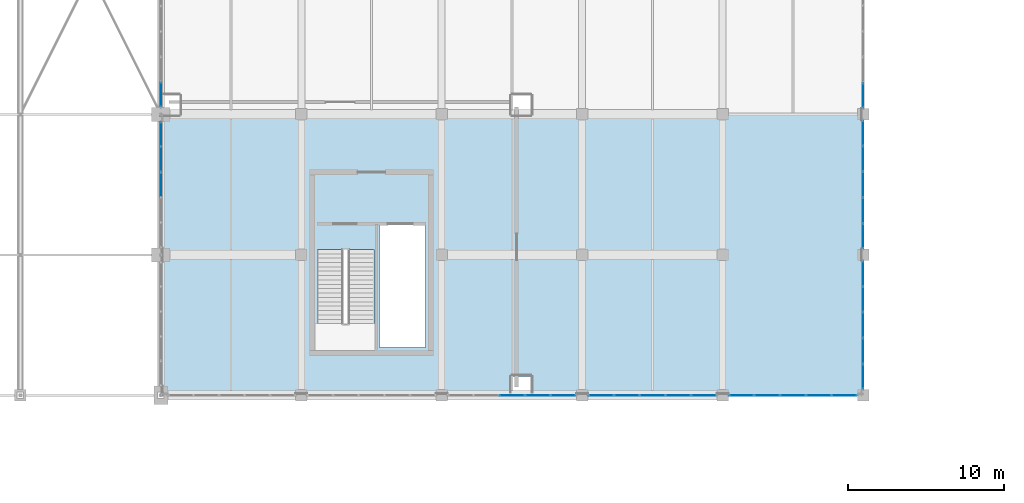
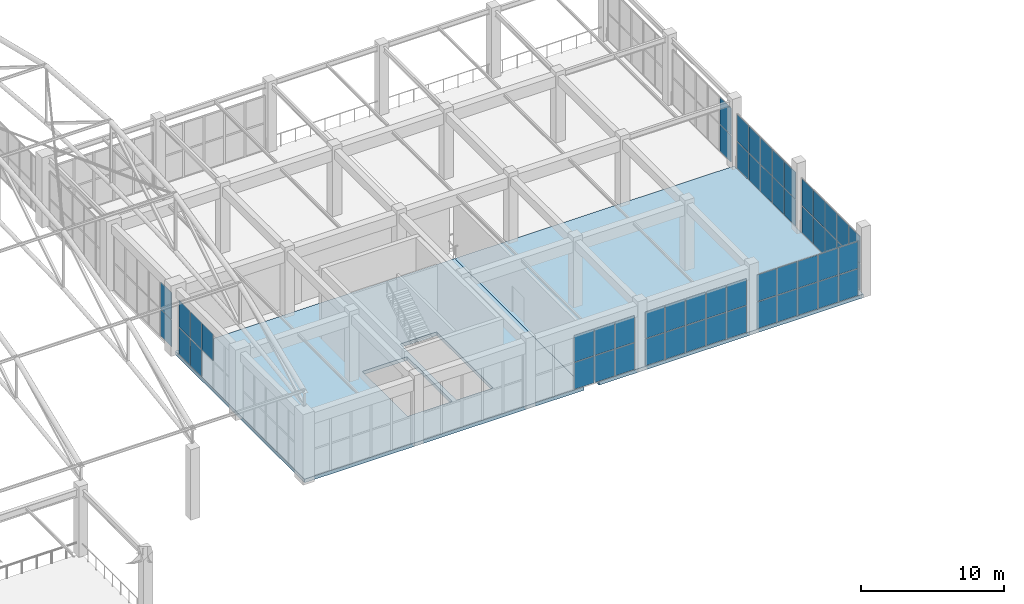
# One storey, part 177 of 223: 55 plates, 2 slabs, 8 elements without a shape of their own.
"""IFC4 building model written with IfcOpenShell, lengths in metres."""

from ifc_helpers import new_model, si_unit, direction, frame, origin, origin_2d, place, context, subcontext, project, spatial, polyline, rectangle, outline, extrude, material, layer, layer_set, type_object, element, aggregate, save


model = new_model("IFC4")

# Units and contexts
model_context = context("Model", 3, precision=1e-05, world=origin(), true_north=direction((0.0, 1.0)))
body_context = subcontext(model_context, "Body", "Model", "MODEL_VIEW")
ifc_project = project(units=[si_unit("LENGTHUNIT", "METRE"), si_unit("AREAUNIT", "SQUARE_METRE"), si_unit("VOLUMEUNIT", "CUBIC_METRE"), si_unit("PLANEANGLEUNIT", "RADIAN"), si_unit("MASSUNIT", "GRAM", prefix="KILO")], contexts=[model_context])

# Site, building, storey
site_placement = place(None, origin())
site = spatial("IfcSite", under=ifc_project, at=site_placement, CompositionType="ELEMENT")
building_placement = place(site_placement, origin())
building = spatial("IfcBuilding", under=site, at=building_placement, Name="Dornveld Trade and Exhibition Forum", CompositionType="ELEMENT")
storey_placement = place(building_placement, frame((0.0, 0.0, 6.0)))
storey = spatial("IfcBuildingStorey", under=building, at=storey_placement, Name="L01", CompositionType="ELEMENT", Elevation=6.0)

# Curtain wall, plates
ifc_material_1 = material(Name="Dark-bronze anodised aluminium and low-E glass", Category="aluminium")
ifc_layer_1 = layer(ifc_material_1, 0.1689453125)
ifc_layer_set_1 = layer_set([ifc_layer_1], Name="Dark-bronze anodised aluminium and low-E glass")
curtain_wall_type_1 = type_object("IfcCurtainWallType", Name="CW-SYS-09", PredefinedType="USERDEFINED", material=ifc_layer_set_1)
curtain_wall_1_placement = place(storey_placement, origin())
curtain_wall_1 = element("IfcCurtainWall", 1, at=curtain_wall_1_placement, inside=storey, type_object=curtain_wall_type_1, Name="L01 unitised curtain wall 9", ObjectType="UNITISED_CURTAIN_WALL", PredefinedType="USERDEFINED")
ifc_material_2 = material(Name="Double-glazed low-E solar control glass", Category="glass")
ifc_layer_2 = layer(ifc_material_2, 0.02587890625)
ifc_layer_set_2 = layer_set([ifc_layer_2], Name="Double-glazed low-E solar control glass")
plate_type_1 = type_object("IfcPlateType", Name="CW-PNL-01", PredefinedType="CURTAIN_PANEL", material=ifc_layer_set_2)
plate_1_placement = place(storey_placement, frame((171.0, 121.5, 2.3779296875), z_axis=(0.0, 0.0, 1.0), x_axis=(0.0, 1.0, 0.0)))
plate_1 = element("IfcPlate", 2, at=plate_1_placement, type_object=plate_type_1, Name="CW-09 panel 3.2", PredefinedType="CURTAIN_PANEL", context=body_context, shape_type="SweptSolid", body=[
    extrude(rectangle(XDim=1.5615234375, YDim=0.02587890625, at=origin_2d()), origin(), (0.0, 0.0, 1.0), 2.261962890625),
])
plate_2_placement = place(storey_placement, frame((171.0, 123.12158203125, 0.05615234375), z_axis=(0.0, 0.0, 1.0), x_axis=(0.0, 1.0, 0.0)))
plate_2 = element("IfcPlate", 3, at=plate_2_placement, type_object=plate_type_1, Name="CW-09 panel 4.1", PredefinedType="CURTAIN_PANEL", context=body_context, shape_type="SweptSolid", body=[
    extrude(rectangle(XDim=1.5615234375, YDim=0.02587890625, at=origin_2d()), origin(), (0.0, 0.0, 1.0), 2.261962890625),
])
plate_3_placement = place(storey_placement, frame((171.0, 123.12158203125, 2.3779296875), z_axis=(0.0, 0.0, 1.0), x_axis=(0.0, 1.0, 0.0)))
plate_3 = element("IfcPlate", 4, at=plate_3_placement, type_object=plate_type_1, Name="CW-09 panel 4.2", PredefinedType="CURTAIN_PANEL", context=body_context, shape_type="SweptSolid", body=[
    extrude(rectangle(XDim=1.5615234375, YDim=0.02587890625, at=origin_2d()), origin(), (0.0, 0.0, 1.0), 2.261962890625),
])
plate_4_placement = place(storey_placement, frame((171.0, 124.728271484375, 0.05615234375), z_axis=(0.0, 0.0, 1.0), x_axis=(0.0, 1.0, 0.0)))
plate_4 = element("IfcPlate", 5, at=plate_4_placement, type_object=plate_type_1, Name="CW-09 panel 5.1", PredefinedType="CURTAIN_PANEL", context=body_context, shape_type="SweptSolid", body=[
    extrude(rectangle(XDim=1.531494140625, YDim=0.02587890625, at=origin_2d()), origin(), (0.0, 0.0, 1.0), 2.261962890625),
])
plate_5_placement = place(storey_placement, frame((171.0, 124.728271484375, 2.3779296875), z_axis=(0.0, 0.0, 1.0), x_axis=(0.0, 1.0, 0.0)))
plate_5 = element("IfcPlate", 6, at=plate_5_placement, type_object=plate_type_1, Name="CW-09 panel 5.2", PredefinedType="CURTAIN_PANEL", context=body_context, shape_type="SweptSolid", body=[
    extrude(rectangle(XDim=1.531494140625, YDim=0.02587890625, at=origin_2d()), origin(), (0.0, 0.0, 1.0), 2.261962890625),
])
aggregate(curtain_wall_1, [plate_1, plate_2, plate_3, plate_4, plate_5])

ifc_material_3 = material(Name="Dark-bronze anodised aluminium and low-E glass", Category="aluminium")
ifc_layer_3 = layer(ifc_material_3, 0.18994140625)
ifc_layer_set_3 = layer_set([ifc_layer_3], Name="Dark-bronze anodised aluminium and low-E glass")
curtain_wall_type_2 = type_object("IfcCurtainWallType", Name="CW-SYS-16", PredefinedType="USERDEFINED", material=ifc_layer_set_3)
curtain_wall_2_placement = place(storey_placement, origin())
curtain_wall_2 = element("IfcCurtainWall", 7, at=curtain_wall_2_placement, inside=storey, type_object=curtain_wall_type_2, Name="L01 unitised curtain wall 106", ObjectType="UNITISED_CURTAIN_WALL", PredefinedType="USERDEFINED")
ifc_material_4 = material(Name="Double-glazed low-E solar control glass", Category="glass")
ifc_layer_4 = layer(ifc_material_4, 0.028076171875)
ifc_layer_set_4 = layer_set([ifc_layer_4], Name="Double-glazed low-E solar control glass")
plate_type_2 = type_object("IfcPlateType", Name="CW-PNL-02", PredefinedType="CURTAIN_PANEL", material=ifc_layer_set_4)
plate_6_placement = place(storey_placement, frame((193.5, 108.0, 0.05615234375), z_axis=(0.0, 0.0, 1.0), x_axis=(1.0, 0.0, 0.0)))
plate_6 = element("IfcPlate", 8, at=plate_6_placement, type_object=plate_type_2, Name="CW-16 panel 3.1", PredefinedType="CURTAIN_PANEL", context=body_context, shape_type="SweptSolid", body=[
    extrude(rectangle(XDim=1.591552734375, YDim=0.028076171875, at=origin_2d()), origin(), (0.0, 0.0, 1.0), 2.261962890625),
])
plate_7_placement = place(storey_placement, frame((193.5, 108.0, 2.3779296875), z_axis=(0.0, 0.0, 1.0), x_axis=(1.0, 0.0, 0.0)))
plate_7 = element("IfcPlate", 9, at=plate_7_placement, type_object=plate_type_2, Name="CW-16 panel 3.2", PredefinedType="CURTAIN_PANEL", context=body_context, shape_type="SweptSolid", body=[
    extrude(rectangle(XDim=1.591552734375, YDim=0.028076171875, at=origin_2d()), origin(), (0.0, 0.0, 1.0), 2.261962890625),
])
plate_8_placement = place(storey_placement, frame((195.151611328125, 108.0, 0.05615234375), z_axis=(0.0, 0.0, 1.0), x_axis=(1.0, 0.0, 0.0)))
plate_8 = element("IfcPlate", 10, at=plate_8_placement, type_object=plate_type_2, Name="CW-16 panel 4.1", PredefinedType="CURTAIN_PANEL", context=body_context, shape_type="SweptSolid", body=[
    extrude(rectangle(XDim=1.591552734375, YDim=0.028076171875, at=origin_2d()), origin(), (0.0, 0.0, 1.0), 2.261962890625),
])
plate_9_placement = place(storey_placement, frame((195.151611328125, 108.0, 2.3779296875), z_axis=(0.0, 0.0, 1.0), x_axis=(1.0, 0.0, 0.0)))
plate_9 = element("IfcPlate", 11, at=plate_9_placement, type_object=plate_type_2, Name="CW-16 panel 4.2", PredefinedType="CURTAIN_PANEL", context=body_context, shape_type="SweptSolid", body=[
    extrude(rectangle(XDim=1.591552734375, YDim=0.028076171875, at=origin_2d()), origin(), (0.0, 0.0, 1.0), 2.261962890625),
])
plate_10_placement = place(storey_placement, frame((196.7880859375, 108.0, 0.05615234375), z_axis=(0.0, 0.0, 1.0), x_axis=(1.0, 0.0, 0.0)))
plate_10 = element("IfcPlate", 12, at=plate_10_placement, type_object=plate_type_2, Name="CW-16 panel 5.1", PredefinedType="CURTAIN_PANEL", context=body_context, shape_type="SweptSolid", body=[
    extrude(rectangle(XDim=1.5615234375, YDim=0.028076171875, at=origin_2d()), origin(), (0.0, 0.0, 1.0), 2.261962890625),
])
plate_11_placement = place(storey_placement, frame((196.7880859375, 108.0, 2.3779296875), z_axis=(0.0, 0.0, 1.0), x_axis=(1.0, 0.0, 0.0)))
plate_11 = element("IfcPlate", 13, at=plate_11_placement, type_object=plate_type_2, Name="CW-16 panel 5.2", PredefinedType="CURTAIN_PANEL", context=body_context, shape_type="SweptSolid", body=[
    extrude(rectangle(XDim=1.5615234375, YDim=0.028076171875, at=origin_2d()), origin(), (0.0, 0.0, 1.0), 2.261962890625),
])
aggregate(curtain_wall_2, [plate_6, plate_7, plate_8, plate_9, plate_10, plate_11])

ifc_material_5 = material(Name="Dark-bronze anodised aluminium and low-E glass", Category="aluminium")
ifc_layer_5 = layer(ifc_material_5, 0.175048828125)
ifc_layer_set_5 = layer_set([ifc_layer_5], Name="Dark-bronze anodised aluminium and low-E glass")
curtain_wall_type_3 = type_object("IfcCurtainWallType", Name="CW-SYS-11", PredefinedType="USERDEFINED", material=ifc_layer_set_5)
curtain_wall_3_placement = place(storey_placement, origin())
curtain_wall_3 = element("IfcCurtainWall", 14, at=curtain_wall_3_placement, inside=storey, type_object=curtain_wall_type_3, Name="L01 unitised curtain wall 11", ObjectType="UNITISED_CURTAIN_WALL", PredefinedType="USERDEFINED")
ifc_material_6 = material(Name="Double-glazed low-E solar control glass", Category="glass")
ifc_layer_6 = layer(ifc_material_6, 0.030029296875)
ifc_layer_set_6 = layer_set([ifc_layer_6], Name="Double-glazed low-E solar control glass")
plate_type_3 = type_object("IfcPlateType", Name="CW-PNL-03", PredefinedType="CURTAIN_PANEL", material=ifc_layer_set_6)
plate_12_placement = place(storey_placement, frame((171.0, 127.271728515625, 0.05615234375), z_axis=(0.0, 0.0, 1.0), x_axis=(0.0, 1.0, 0.0)))
plate_12 = element("IfcPlate", 15, at=plate_12_placement, type_object=plate_type_3, Name="CW-11 panel 1.1", PredefinedType="CURTAIN_PANEL", context=body_context, shape_type="SweptSolid", body=[
    extrude(rectangle(XDim=1.531494140625, YDim=0.030029296875, at=origin_2d()), origin(), (0.0, 0.0, 1.0), 2.261962890625),
])
plate_13_placement = place(storey_placement, frame((171.0, 127.271728515625, 2.3779296875), z_axis=(0.0, 0.0, 1.0), x_axis=(0.0, 1.0, 0.0)))
plate_13 = element("IfcPlate", 16, at=plate_13_placement, type_object=plate_type_3, Name="CW-11 panel 1.2", PredefinedType="CURTAIN_PANEL", context=body_context, shape_type="SweptSolid", body=[
    extrude(rectangle(XDim=1.531494140625, YDim=0.030029296875, at=origin_2d()), origin(), (0.0, 0.0, 1.0), 2.261962890625),
])
aggregate(curtain_wall_3, [plate_12, plate_13])

ifc_material_7 = material(Name="Dark-bronze anodised aluminium and low-E glass", Category="aluminium")
ifc_layer_7 = layer(ifc_material_7, 0.193115234375)
ifc_layer_set_7 = layer_set([ifc_layer_7], Name="Dark-bronze anodised aluminium and low-E glass")
curtain_wall_type_4 = type_object("IfcCurtainWallType", Name="CW-SYS-17", PredefinedType="USERDEFINED", material=ifc_layer_set_7)
curtain_wall_4_placement = place(storey_placement, origin())
curtain_wall_4 = element("IfcCurtainWall", 17, at=curtain_wall_4_placement, inside=storey, type_object=curtain_wall_type_4, Name="L01 unitised curtain wall 107", ObjectType="UNITISED_CURTAIN_WALL", PredefinedType="USERDEFINED")
plate_14_placement = place(storey_placement, frame((199.2119140625, 108.0, 0.05615234375), z_axis=(0.0, 0.0, 1.0), x_axis=(1.0, 0.0, 0.0)))
plate_14 = element("IfcPlate", 18, at=plate_14_placement, type_object=plate_type_3, Name="CW-17 panel 1.1", PredefinedType="CURTAIN_PANEL", context=body_context, shape_type="SweptSolid", body=[
    extrude(rectangle(XDim=1.5615234375, YDim=0.030029296875, at=origin_2d()), origin(), (0.0, 0.0, 1.0), 2.261962890625),
])
plate_15_placement = place(storey_placement, frame((199.2119140625, 108.0, 2.3779296875), z_axis=(0.0, 0.0, 1.0), x_axis=(1.0, 0.0, 0.0)))
plate_15 = element("IfcPlate", 19, at=plate_15_placement, type_object=plate_type_3, Name="CW-17 panel 1.2", PredefinedType="CURTAIN_PANEL", context=body_context, shape_type="SweptSolid", body=[
    extrude(rectangle(XDim=1.5615234375, YDim=0.030029296875, at=origin_2d()), origin(), (0.0, 0.0, 1.0), 2.261962890625),
])
plate_16_placement = place(storey_placement, frame((200.848388671875, 108.0, 0.05615234375), z_axis=(0.0, 0.0, 1.0), x_axis=(1.0, 0.0, 0.0)))
plate_16 = element("IfcPlate", 20, at=plate_16_placement, type_object=plate_type_3, Name="CW-17 panel 2.1", PredefinedType="CURTAIN_PANEL", context=body_context, shape_type="SweptSolid", body=[
    extrude(rectangle(XDim=1.591552734375, YDim=0.030029296875, at=origin_2d()), origin(), (0.0, 0.0, 1.0), 2.261962890625),
])
plate_17_placement = place(storey_placement, frame((200.848388671875, 108.0, 2.3779296875), z_axis=(0.0, 0.0, 1.0), x_axis=(1.0, 0.0, 0.0)))
plate_17 = element("IfcPlate", 21, at=plate_17_placement, type_object=plate_type_3, Name="CW-17 panel 2.2", PredefinedType="CURTAIN_PANEL", context=body_context, shape_type="SweptSolid", body=[
    extrude(rectangle(XDim=1.591552734375, YDim=0.030029296875, at=origin_2d()), origin(), (0.0, 0.0, 1.0), 2.261962890625),
])
plate_18_placement = place(storey_placement, frame((202.5, 108.0, 0.05615234375), z_axis=(0.0, 0.0, 1.0), x_axis=(1.0, 0.0, 0.0)))
plate_18 = element("IfcPlate", 22, at=plate_18_placement, type_object=plate_type_3, Name="CW-17 panel 3.1", PredefinedType="CURTAIN_PANEL", context=body_context, shape_type="SweptSolid", body=[
    extrude(rectangle(XDim=1.591552734375, YDim=0.030029296875, at=origin_2d()), origin(), (0.0, 0.0, 1.0), 2.261962890625),
])
plate_19_placement = place(storey_placement, frame((202.5, 108.0, 2.3779296875), z_axis=(0.0, 0.0, 1.0), x_axis=(1.0, 0.0, 0.0)))
plate_19 = element("IfcPlate", 23, at=plate_19_placement, type_object=plate_type_3, Name="CW-17 panel 3.2", PredefinedType="CURTAIN_PANEL", context=body_context, shape_type="SweptSolid", body=[
    extrude(rectangle(XDim=1.591552734375, YDim=0.030029296875, at=origin_2d()), origin(), (0.0, 0.0, 1.0), 2.261962890625),
])
plate_20_placement = place(storey_placement, frame((204.151611328125, 108.0, 0.05615234375), z_axis=(0.0, 0.0, 1.0), x_axis=(1.0, 0.0, 0.0)))
plate_20 = element("IfcPlate", 24, at=plate_20_placement, type_object=plate_type_3, Name="CW-17 panel 4.1", PredefinedType="CURTAIN_PANEL", context=body_context, shape_type="SweptSolid", body=[
    extrude(rectangle(XDim=1.591552734375, YDim=0.030029296875, at=origin_2d()), origin(), (0.0, 0.0, 1.0), 2.261962890625),
])
plate_21_placement = place(storey_placement, frame((204.151611328125, 108.0, 2.3779296875), z_axis=(0.0, 0.0, 1.0), x_axis=(1.0, 0.0, 0.0)))
plate_21 = element("IfcPlate", 25, at=plate_21_placement, type_object=plate_type_3, Name="CW-17 panel 4.2", PredefinedType="CURTAIN_PANEL", context=body_context, shape_type="SweptSolid", body=[
    extrude(rectangle(XDim=1.591552734375, YDim=0.030029296875, at=origin_2d()), origin(), (0.0, 0.0, 1.0), 2.261962890625),
])
plate_22_placement = place(storey_placement, frame((205.7880859375, 108.0, 0.05615234375), z_axis=(0.0, 0.0, 1.0), x_axis=(1.0, 0.0, 0.0)))
plate_22 = element("IfcPlate", 26, at=plate_22_placement, type_object=plate_type_3, Name="CW-17 panel 5.1", PredefinedType="CURTAIN_PANEL", context=body_context, shape_type="SweptSolid", body=[
    extrude(rectangle(XDim=1.5615234375, YDim=0.030029296875, at=origin_2d()), origin(), (0.0, 0.0, 1.0), 2.261962890625),
])
plate_23_placement = place(storey_placement, frame((205.7880859375, 108.0, 2.3779296875), z_axis=(0.0, 0.0, 1.0), x_axis=(1.0, 0.0, 0.0)))
plate_23 = element("IfcPlate", 27, at=plate_23_placement, type_object=plate_type_3, Name="CW-17 panel 5.2", PredefinedType="CURTAIN_PANEL", context=body_context, shape_type="SweptSolid", body=[
    extrude(rectangle(XDim=1.5615234375, YDim=0.030029296875, at=origin_2d()), origin(), (0.0, 0.0, 1.0), 2.261962890625),
])
aggregate(curtain_wall_4, [plate_14, plate_15, plate_16, plate_17, plate_18, plate_19, plate_20, plate_21, plate_22, plate_23])

ifc_material_8 = material(Name="Dark-bronze anodised aluminium and low-E glass", Category="aluminium")
ifc_layer_8 = layer(ifc_material_8, 0.196044921875)
ifc_layer_set_8 = layer_set([ifc_layer_8], Name="Dark-bronze anodised aluminium and low-E glass")
curtain_wall_type_5 = type_object("IfcCurtainWallType", Name="CW-SYS-18", PredefinedType="USERDEFINED", material=ifc_layer_set_8)
curtain_wall_5_placement = place(storey_placement, origin())
curtain_wall_5 = element("IfcCurtainWall", 28, at=curtain_wall_5_placement, inside=storey, type_object=curtain_wall_type_5, Name="L01 unitised curtain wall 108", ObjectType="UNITISED_CURTAIN_WALL", PredefinedType="USERDEFINED")
ifc_material_9 = material(Name="Double-glazed low-E solar control glass", Category="glass")
ifc_layer_9 = layer(ifc_material_9, 0.031982421875)
ifc_layer_set_9 = layer_set([ifc_layer_9], Name="Double-glazed low-E solar control glass")
plate_type_4 = type_object("IfcPlateType", Name="CW-PNL-04", PredefinedType="CURTAIN_PANEL", material=ifc_layer_set_9)
plate_24_placement = place(storey_placement, frame((208.2119140625, 108.0, 0.05615234375), z_axis=(0.0, 0.0, 1.0), x_axis=(1.0, 0.0, 0.0)))
plate_24 = element("IfcPlate", 29, at=plate_24_placement, type_object=plate_type_4, Name="CW-18 panel 1.1", PredefinedType="CURTAIN_PANEL", context=body_context, shape_type="SweptSolid", body=[
    extrude(rectangle(XDim=1.5615234375, YDim=0.031982421875, at=origin_2d()), origin(), (0.0, 0.0, 1.0), 2.261962890625),
])
plate_25_placement = place(storey_placement, frame((208.2119140625, 108.0, 2.3779296875), z_axis=(0.0, 0.0, 1.0), x_axis=(1.0, 0.0, 0.0)))
plate_25 = element("IfcPlate", 30, at=plate_25_placement, type_object=plate_type_4, Name="CW-18 panel 1.2", PredefinedType="CURTAIN_PANEL", context=body_context, shape_type="SweptSolid", body=[
    extrude(rectangle(XDim=1.5615234375, YDim=0.031982421875, at=origin_2d()), origin(), (0.0, 0.0, 1.0), 2.261962890625),
])
plate_26_placement = place(storey_placement, frame((209.848388671875, 108.0, 0.05615234375), z_axis=(0.0, 0.0, 1.0), x_axis=(1.0, 0.0, 0.0)))
plate_26 = element("IfcPlate", 31, at=plate_26_placement, type_object=plate_type_4, Name="CW-18 panel 2.1", PredefinedType="CURTAIN_PANEL", context=body_context, shape_type="SweptSolid", body=[
    extrude(rectangle(XDim=1.591552734375, YDim=0.031982421875, at=origin_2d()), origin(), (0.0, 0.0, 1.0), 2.261962890625),
])
plate_27_placement = place(storey_placement, frame((209.848388671875, 108.0, 2.3779296875), z_axis=(0.0, 0.0, 1.0), x_axis=(1.0, 0.0, 0.0)))
plate_27 = element("IfcPlate", 32, at=plate_27_placement, type_object=plate_type_4, Name="CW-18 panel 2.2", PredefinedType="CURTAIN_PANEL", context=body_context, shape_type="SweptSolid", body=[
    extrude(rectangle(XDim=1.591552734375, YDim=0.031982421875, at=origin_2d()), origin(), (0.0, 0.0, 1.0), 2.261962890625),
])
plate_28_placement = place(storey_placement, frame((211.5, 108.0, 0.05615234375), z_axis=(0.0, 0.0, 1.0), x_axis=(1.0, 0.0, 0.0)))
plate_28 = element("IfcPlate", 33, at=plate_28_placement, type_object=plate_type_4, Name="CW-18 panel 3.1", PredefinedType="CURTAIN_PANEL", context=body_context, shape_type="SweptSolid", body=[
    extrude(rectangle(XDim=1.591552734375, YDim=0.031982421875, at=origin_2d()), origin(), (0.0, 0.0, 1.0), 2.261962890625),
])
plate_29_placement = place(storey_placement, frame((211.5, 108.0, 2.3779296875), z_axis=(0.0, 0.0, 1.0), x_axis=(1.0, 0.0, 0.0)))
plate_29 = element("IfcPlate", 34, at=plate_29_placement, type_object=plate_type_4, Name="CW-18 panel 3.2", PredefinedType="CURTAIN_PANEL", context=body_context, shape_type="SweptSolid", body=[
    extrude(rectangle(XDim=1.591552734375, YDim=0.031982421875, at=origin_2d()), origin(), (0.0, 0.0, 1.0), 2.261962890625),
])
plate_30_placement = place(storey_placement, frame((213.151611328125, 108.0, 0.05615234375), z_axis=(0.0, 0.0, 1.0), x_axis=(1.0, 0.0, 0.0)))
plate_30 = element("IfcPlate", 35, at=plate_30_placement, type_object=plate_type_4, Name="CW-18 panel 4.1", PredefinedType="CURTAIN_PANEL", context=body_context, shape_type="SweptSolid", body=[
    extrude(rectangle(XDim=1.591552734375, YDim=0.031982421875, at=origin_2d()), origin(), (0.0, 0.0, 1.0), 2.261962890625),
])
plate_31_placement = place(storey_placement, frame((213.151611328125, 108.0, 2.3779296875), z_axis=(0.0, 0.0, 1.0), x_axis=(1.0, 0.0, 0.0)))
plate_31 = element("IfcPlate", 36, at=plate_31_placement, type_object=plate_type_4, Name="CW-18 panel 4.2", PredefinedType="CURTAIN_PANEL", context=body_context, shape_type="SweptSolid", body=[
    extrude(rectangle(XDim=1.591552734375, YDim=0.031982421875, at=origin_2d()), origin(), (0.0, 0.0, 1.0), 2.261962890625),
])
plate_32_placement = place(storey_placement, frame((214.7880859375, 108.0, 0.05615234375), z_axis=(0.0, 0.0, 1.0), x_axis=(1.0, 0.0, 0.0)))
plate_32 = element("IfcPlate", 37, at=plate_32_placement, type_object=plate_type_4, Name="CW-18 panel 5.1", PredefinedType="CURTAIN_PANEL", context=body_context, shape_type="SweptSolid", body=[
    extrude(rectangle(XDim=1.5615234375, YDim=0.031982421875, at=origin_2d()), origin(), (0.0, 0.0, 1.0), 2.261962890625),
])
plate_33_placement = place(storey_placement, frame((214.7880859375, 108.0, 2.3779296875), z_axis=(0.0, 0.0, 1.0), x_axis=(1.0, 0.0, 0.0)))
plate_33 = element("IfcPlate", 38, at=plate_33_placement, type_object=plate_type_4, Name="CW-18 panel 5.2", PredefinedType="CURTAIN_PANEL", context=body_context, shape_type="SweptSolid", body=[
    extrude(rectangle(XDim=1.5615234375, YDim=0.031982421875, at=origin_2d()), origin(), (0.0, 0.0, 1.0), 2.261962890625),
])
aggregate(curtain_wall_5, [plate_24, plate_25, plate_26, plate_27, plate_28, plate_29, plate_30, plate_31, plate_32, plate_33])

ifc_material_10 = material(Name="Dark-bronze anodised aluminium and low-E glass", Category="aluminium")
ifc_layer_10 = layer(ifc_material_10, 0.14501953125)
ifc_layer_set_10 = layer_set([ifc_layer_10], Name="Dark-bronze anodised aluminium and low-E glass")
curtain_wall_type_6 = type_object("IfcCurtainWallType", Name="CW-SYS-01", PredefinedType="USERDEFINED", material=ifc_layer_set_10)
curtain_wall_6_placement = place(storey_placement, origin())
curtain_wall_6 = element("IfcCurtainWall", 39, at=curtain_wall_6_placement, inside=storey, type_object=curtain_wall_type_6, Name="L01 unitised curtain wall 109", ObjectType="UNITISED_CURTAIN_WALL", PredefinedType="USERDEFINED")
ifc_material_11 = material(Name="Double-glazed low-E solar control glass", Category="glass")
ifc_layer_11 = layer(ifc_material_11, 0.033935546875)
ifc_layer_set_11 = layer_set([ifc_layer_11], Name="Double-glazed low-E solar control glass")
plate_type_5 = type_object("IfcPlateType", Name="CW-PNL-05", PredefinedType="CURTAIN_PANEL", material=ifc_layer_set_11)
plate_34_placement = place(storey_placement, frame((216.0, 109.2119140625, 0.05615234375), z_axis=(0.0, 0.0, 1.0), x_axis=(0.0, 1.0, 0.0)))
plate_34 = element("IfcPlate", 40, at=plate_34_placement, type_object=plate_type_5, Name="CW-01 panel 1.1", PredefinedType="CURTAIN_PANEL", context=body_context, shape_type="SweptSolid", body=[
    extrude(rectangle(XDim=1.5615234375, YDim=0.033935546875, at=origin_2d()), origin(), (0.0, 0.0, 1.0), 2.261962890625),
])
plate_35_placement = place(storey_placement, frame((216.0, 109.2119140625, 2.3779296875), z_axis=(0.0, 0.0, 1.0), x_axis=(0.0, 1.0, 0.0)))
plate_35 = element("IfcPlate", 41, at=plate_35_placement, type_object=plate_type_5, Name="CW-01 panel 1.2", PredefinedType="CURTAIN_PANEL", context=body_context, shape_type="SweptSolid", body=[
    extrude(rectangle(XDim=1.5615234375, YDim=0.033935546875, at=origin_2d()), origin(), (0.0, 0.0, 1.0), 2.261962890625),
])
plate_36_placement = place(storey_placement, frame((216.0, 110.848388671875, 0.05615234375), z_axis=(0.0, 0.0, 1.0), x_axis=(0.0, 1.0, 0.0)))
plate_36 = element("IfcPlate", 42, at=plate_36_placement, type_object=plate_type_5, Name="CW-01 panel 2.1", PredefinedType="CURTAIN_PANEL", context=body_context, shape_type="SweptSolid", body=[
    extrude(rectangle(XDim=1.591552734375, YDim=0.033935546875, at=origin_2d()), origin(), (0.0, 0.0, 1.0), 2.261962890625),
])
plate_37_placement = place(storey_placement, frame((216.0, 110.848388671875, 2.3779296875), z_axis=(0.0, 0.0, 1.0), x_axis=(0.0, 1.0, 0.0)))
plate_37 = element("IfcPlate", 43, at=plate_37_placement, type_object=plate_type_5, Name="CW-01 panel 2.2", PredefinedType="CURTAIN_PANEL", context=body_context, shape_type="SweptSolid", body=[
    extrude(rectangle(XDim=1.591552734375, YDim=0.033935546875, at=origin_2d()), origin(), (0.0, 0.0, 1.0), 2.261962890625),
])
plate_38_placement = place(storey_placement, frame((216.0, 112.5, 0.05615234375), z_axis=(0.0, 0.0, 1.0), x_axis=(0.0, 1.0, 0.0)))
plate_38 = element("IfcPlate", 44, at=plate_38_placement, type_object=plate_type_5, Name="CW-01 panel 3.1", PredefinedType="CURTAIN_PANEL", context=body_context, shape_type="SweptSolid", body=[
    extrude(rectangle(XDim=1.591552734375, YDim=0.033935546875, at=origin_2d()), origin(), (0.0, 0.0, 1.0), 2.261962890625),
])
plate_39_placement = place(storey_placement, frame((216.0, 112.5, 2.3779296875), z_axis=(0.0, 0.0, 1.0), x_axis=(0.0, 1.0, 0.0)))
plate_39 = element("IfcPlate", 45, at=plate_39_placement, type_object=plate_type_5, Name="CW-01 panel 3.2", PredefinedType="CURTAIN_PANEL", context=body_context, shape_type="SweptSolid", body=[
    extrude(rectangle(XDim=1.591552734375, YDim=0.033935546875, at=origin_2d()), origin(), (0.0, 0.0, 1.0), 2.261962890625),
])
plate_40_placement = place(storey_placement, frame((216.0, 114.151611328125, 0.05615234375), z_axis=(0.0, 0.0, 1.0), x_axis=(0.0, 1.0, 0.0)))
plate_40 = element("IfcPlate", 46, at=plate_40_placement, type_object=plate_type_5, Name="CW-01 panel 4.1", PredefinedType="CURTAIN_PANEL", context=body_context, shape_type="SweptSolid", body=[
    extrude(rectangle(XDim=1.591552734375, YDim=0.033935546875, at=origin_2d()), origin(), (0.0, 0.0, 1.0), 2.261962890625),
])
plate_41_placement = place(storey_placement, frame((216.0, 114.151611328125, 2.3779296875), z_axis=(0.0, 0.0, 1.0), x_axis=(0.0, 1.0, 0.0)))
plate_41 = element("IfcPlate", 47, at=plate_41_placement, type_object=plate_type_5, Name="CW-01 panel 4.2", PredefinedType="CURTAIN_PANEL", context=body_context, shape_type="SweptSolid", body=[
    extrude(rectangle(XDim=1.591552734375, YDim=0.033935546875, at=origin_2d()), origin(), (0.0, 0.0, 1.0), 2.261962890625),
])
plate_42_placement = place(storey_placement, frame((216.0, 115.7880859375, 0.05615234375), z_axis=(0.0, 0.0, 1.0), x_axis=(0.0, 1.0, 0.0)))
plate_42 = element("IfcPlate", 48, at=plate_42_placement, type_object=plate_type_5, Name="CW-01 panel 5.1", PredefinedType="CURTAIN_PANEL", context=body_context, shape_type="SweptSolid", body=[
    extrude(rectangle(XDim=1.5615234375, YDim=0.033935546875, at=origin_2d()), origin(), (0.0, 0.0, 1.0), 2.261962890625),
])
plate_43_placement = place(storey_placement, frame((216.0, 115.7880859375, 2.3779296875), z_axis=(0.0, 0.0, 1.0), x_axis=(0.0, 1.0, 0.0)))
plate_43 = element("IfcPlate", 49, at=plate_43_placement, type_object=plate_type_5, Name="CW-01 panel 5.2", PredefinedType="CURTAIN_PANEL", context=body_context, shape_type="SweptSolid", body=[
    extrude(rectangle(XDim=1.5615234375, YDim=0.033935546875, at=origin_2d()), origin(), (0.0, 0.0, 1.0), 2.261962890625),
])
aggregate(curtain_wall_6, [plate_34, plate_35, plate_36, plate_37, plate_38, plate_39, plate_40, plate_41, plate_42, plate_43])

ifc_material_12 = material(Name="Dark-bronze anodised aluminium and low-E glass", Category="aluminium")
ifc_layer_12 = layer(ifc_material_12, 0.14794921875)
ifc_layer_set_12 = layer_set([ifc_layer_12], Name="Dark-bronze anodised aluminium and low-E glass")
curtain_wall_type_7 = type_object("IfcCurtainWallType", Name="CW-SYS-02", PredefinedType="USERDEFINED", material=ifc_layer_set_12)
curtain_wall_7_placement = place(storey_placement, origin())
curtain_wall_7 = element("IfcCurtainWall", 50, at=curtain_wall_7_placement, inside=storey, type_object=curtain_wall_type_7, Name="L01 unitised curtain wall 110", ObjectType="UNITISED_CURTAIN_WALL", PredefinedType="USERDEFINED")
ifc_material_13 = material(Name="Double-glazed low-E solar control glass", Category="glass")
ifc_layer_13 = layer(ifc_material_13, 0.035888671875)
ifc_layer_set_13 = layer_set([ifc_layer_13], Name="Double-glazed low-E solar control glass")
plate_type_6 = type_object("IfcPlateType", Name="CW-PNL-06", PredefinedType="CURTAIN_PANEL", material=ifc_layer_set_13)
plate_44_placement = place(storey_placement, frame((216.0, 118.2119140625, 0.05615234375), z_axis=(0.0, 0.0, 1.0), x_axis=(0.0, 1.0, 0.0)))
plate_44 = element("IfcPlate", 51, at=plate_44_placement, type_object=plate_type_6, Name="CW-02 panel 1.1", PredefinedType="CURTAIN_PANEL", context=body_context, shape_type="SweptSolid", body=[
    extrude(rectangle(XDim=1.5615234375, YDim=0.035888671875, at=origin_2d()), origin(), (0.0, 0.0, 1.0), 2.261962890625),
])
plate_45_placement = place(storey_placement, frame((216.0, 118.2119140625, 2.3779296875), z_axis=(0.0, 0.0, 1.0), x_axis=(0.0, 1.0, 0.0)))
plate_45 = element("IfcPlate", 52, at=plate_45_placement, type_object=plate_type_6, Name="CW-02 panel 1.2", PredefinedType="CURTAIN_PANEL", context=body_context, shape_type="SweptSolid", body=[
    extrude(rectangle(XDim=1.5615234375, YDim=0.035888671875, at=origin_2d()), origin(), (0.0, 0.0, 1.0), 2.261962890625),
])
plate_46_placement = place(storey_placement, frame((216.0, 119.848388671875, 0.05615234375), z_axis=(0.0, 0.0, 1.0), x_axis=(0.0, 1.0, 0.0)))
plate_46 = element("IfcPlate", 53, at=plate_46_placement, type_object=plate_type_6, Name="CW-02 panel 2.1", PredefinedType="CURTAIN_PANEL", context=body_context, shape_type="SweptSolid", body=[
    extrude(rectangle(XDim=1.591552734375, YDim=0.035888671875, at=origin_2d()), origin(), (0.0, 0.0, 1.0), 2.261962890625),
])
plate_47_placement = place(storey_placement, frame((216.0, 119.848388671875, 2.3779296875), z_axis=(0.0, 0.0, 1.0), x_axis=(0.0, 1.0, 0.0)))
plate_47 = element("IfcPlate", 54, at=plate_47_placement, type_object=plate_type_6, Name="CW-02 panel 2.2", PredefinedType="CURTAIN_PANEL", context=body_context, shape_type="SweptSolid", body=[
    extrude(rectangle(XDim=1.591552734375, YDim=0.035888671875, at=origin_2d()), origin(), (0.0, 0.0, 1.0), 2.261962890625),
])
plate_48_placement = place(storey_placement, frame((216.0, 121.5, 0.05615234375), z_axis=(0.0, 0.0, 1.0), x_axis=(0.0, 1.0, 0.0)))
plate_48 = element("IfcPlate", 55, at=plate_48_placement, type_object=plate_type_6, Name="CW-02 panel 3.1", PredefinedType="CURTAIN_PANEL", context=body_context, shape_type="SweptSolid", body=[
    extrude(rectangle(XDim=1.591552734375, YDim=0.035888671875, at=origin_2d()), origin(), (0.0, 0.0, 1.0), 2.261962890625),
])
plate_49_placement = place(storey_placement, frame((216.0, 121.5, 2.3779296875), z_axis=(0.0, 0.0, 1.0), x_axis=(0.0, 1.0, 0.0)))
plate_49 = element("IfcPlate", 56, at=plate_49_placement, type_object=plate_type_6, Name="CW-02 panel 3.2", PredefinedType="CURTAIN_PANEL", context=body_context, shape_type="SweptSolid", body=[
    extrude(rectangle(XDim=1.591552734375, YDim=0.035888671875, at=origin_2d()), origin(), (0.0, 0.0, 1.0), 2.261962890625),
])
plate_50_placement = place(storey_placement, frame((216.0, 123.151611328125, 0.05615234375), z_axis=(0.0, 0.0, 1.0), x_axis=(0.0, 1.0, 0.0)))
plate_50 = element("IfcPlate", 57, at=plate_50_placement, type_object=plate_type_6, Name="CW-02 panel 4.1", PredefinedType="CURTAIN_PANEL", context=body_context, shape_type="SweptSolid", body=[
    extrude(rectangle(XDim=1.591552734375, YDim=0.035888671875, at=origin_2d()), origin(), (0.0, 0.0, 1.0), 2.261962890625),
])
plate_51_placement = place(storey_placement, frame((216.0, 123.151611328125, 2.3779296875), z_axis=(0.0, 0.0, 1.0), x_axis=(0.0, 1.0, 0.0)))
plate_51 = element("IfcPlate", 58, at=plate_51_placement, type_object=plate_type_6, Name="CW-02 panel 4.2", PredefinedType="CURTAIN_PANEL", context=body_context, shape_type="SweptSolid", body=[
    extrude(rectangle(XDim=1.591552734375, YDim=0.035888671875, at=origin_2d()), origin(), (0.0, 0.0, 1.0), 2.261962890625),
])
plate_52_placement = place(storey_placement, frame((216.0, 124.7880859375, 0.05615234375), z_axis=(0.0, 0.0, 1.0), x_axis=(0.0, 1.0, 0.0)))
plate_52 = element("IfcPlate", 59, at=plate_52_placement, type_object=plate_type_6, Name="CW-02 panel 5.1", PredefinedType="CURTAIN_PANEL", context=body_context, shape_type="SweptSolid", body=[
    extrude(rectangle(XDim=1.5615234375, YDim=0.035888671875, at=origin_2d()), origin(), (0.0, 0.0, 1.0), 2.261962890625),
])
plate_53_placement = place(storey_placement, frame((216.0, 124.7880859375, 2.3779296875), z_axis=(0.0, 0.0, 1.0), x_axis=(0.0, 1.0, 0.0)))
plate_53 = element("IfcPlate", 60, at=plate_53_placement, type_object=plate_type_6, Name="CW-02 panel 5.2", PredefinedType="CURTAIN_PANEL", context=body_context, shape_type="SweptSolid", body=[
    extrude(rectangle(XDim=1.5615234375, YDim=0.035888671875, at=origin_2d()), origin(), (0.0, 0.0, 1.0), 2.261962890625),
])
aggregate(curtain_wall_7, [plate_44, plate_45, plate_46, plate_47, plate_48, plate_49, plate_50, plate_51, plate_52, plate_53])

ifc_material_14 = material(Name="Dark-bronze anodised aluminium and low-E glass", Category="aluminium")
ifc_layer_14 = layer(ifc_material_14, 0.15087890625)
ifc_layer_set_14 = layer_set([ifc_layer_14], Name="Dark-bronze anodised aluminium and low-E glass")
curtain_wall_type_8 = type_object("IfcCurtainWallType", Name="CW-SYS-03", PredefinedType="USERDEFINED", material=ifc_layer_set_14)
curtain_wall_8_placement = place(storey_placement, origin())
curtain_wall_8 = element("IfcCurtainWall", 61, at=curtain_wall_8_placement, inside=storey, type_object=curtain_wall_type_8, Name="L01 unitised curtain wall 111", ObjectType="UNITISED_CURTAIN_WALL", PredefinedType="USERDEFINED")
ifc_material_15 = material(Name="Double-glazed low-E solar control glass", Category="glass")
ifc_layer_15 = layer(ifc_material_15, 0.0380859375)
ifc_layer_set_15 = layer_set([ifc_layer_15], Name="Double-glazed low-E solar control glass")
plate_type_7 = type_object("IfcPlateType", Name="CW-PNL-07", PredefinedType="CURTAIN_PANEL", material=ifc_layer_set_15)
plate_54_placement = place(storey_placement, frame((216.0, 127.2119140625, 0.05615234375), z_axis=(0.0, 0.0, 1.0), x_axis=(0.0, 1.0, 0.0)))
plate_54 = element("IfcPlate", 62, at=plate_54_placement, type_object=plate_type_7, Name="CW-03 panel 1.1", PredefinedType="CURTAIN_PANEL", context=body_context, shape_type="SweptSolid", body=[
    extrude(rectangle(XDim=1.5615234375, YDim=0.0380859375, at=origin_2d()), origin(), (0.0, 0.0, 1.0), 2.261962890625),
])
plate_55_placement = place(storey_placement, frame((216.0, 127.2119140625, 2.3779296875), z_axis=(0.0, 0.0, 1.0), x_axis=(0.0, 1.0, 0.0)))
plate_55 = element("IfcPlate", 63, at=plate_55_placement, type_object=plate_type_7, Name="CW-03 panel 1.2", PredefinedType="CURTAIN_PANEL", context=body_context, shape_type="SweptSolid", body=[
    extrude(rectangle(XDim=1.5615234375, YDim=0.0380859375, at=origin_2d()), origin(), (0.0, 0.0, 1.0), 2.261962890625),
])
aggregate(curtain_wall_8, [plate_54, plate_55])

# Slabs
ifc_material_16 = material(Name="Precast concrete C50/60", Category="concrete")
ifc_layer_16 = layer(ifc_material_16, 0.260009765625)
ifc_layer_set_16 = layer_set([ifc_layer_16], Name="Precast concrete C50/60")
slab_type = type_object("IfcSlabType", Name="SL-OFF-260", PredefinedType="FLOOR", material=ifc_layer_set_16)
slab_1_placement = place(storey_placement, frame((0.0, 0.0, -0.300048828125)))
element("IfcSlab", 64, at=slab_1_placement, inside=storey, type_object=slab_type, Name="L01 structural slab panel 49", PredefinedType="FLOOR", context=body_context, shape_type="SweptSolid", body=[
    extrude(outline(polyline([(171.0, 108.0), (193.5, 108.0), (193.5, 126.0), (171.0, 126.0), (171.0, 108.0)]), holes=[polyline([(181.050048828125, 111.050048828125), (184.64990234375, 111.050048828125), (184.64990234375, 117.330078125), (181.050048828125, 117.330078125), (181.050048828125, 111.050048828125)]), polyline([(185.0, 111.050048828125), (187.949951171875, 111.050048828125), (187.949951171875, 118.89990234375), (185.0, 118.89990234375), (185.0, 111.050048828125)])]), origin(), (0.0, 0.0, 1.0), 0.300048828125),
])
slab_2_placement = place(storey_placement, frame((0.0, 0.0, -0.300048828125)))
element("IfcSlab", 65, at=slab_2_placement, inside=storey, type_object=slab_type, Name="L01 structural slab panel 51", PredefinedType="FLOOR", context=body_context, shape_type="SweptSolid", body=[
    extrude(outline(polyline([(194.699951171875, 108.0), (216.0, 108.0), (216.0, 126.0), (193.5, 126.0), (193.5, 109.199951171875), (194.699951171875, 109.199951171875), (194.699951171875, 108.0)])), origin(), (0.0, 0.0, 1.0), 0.300048828125),
])

save(model, "model.ifc")
